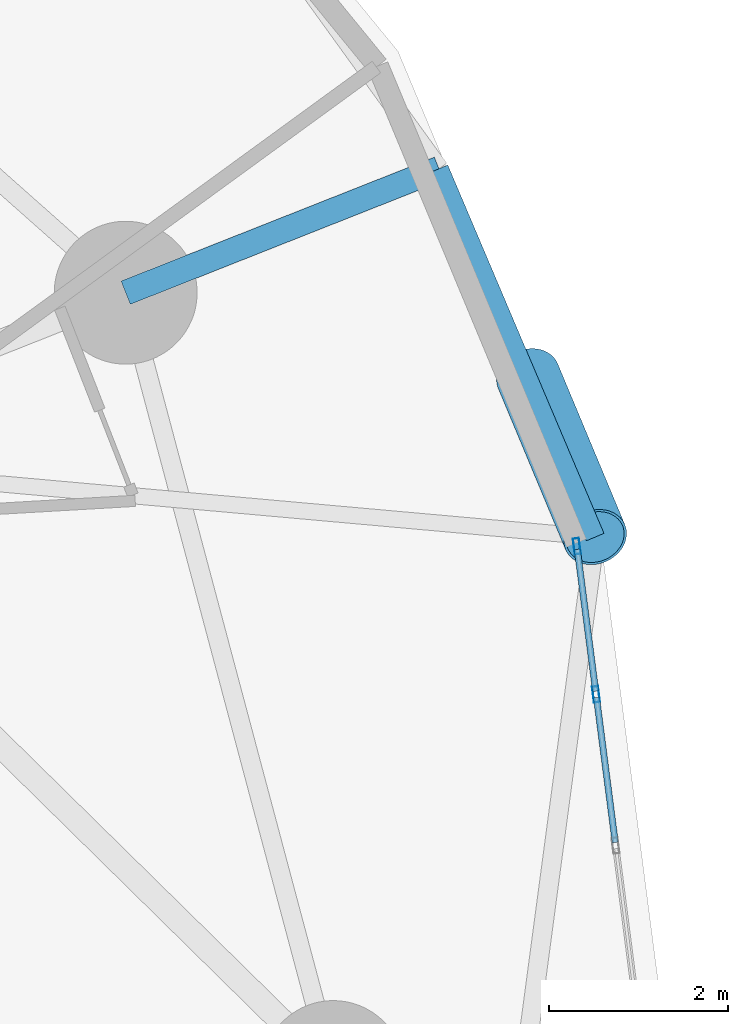
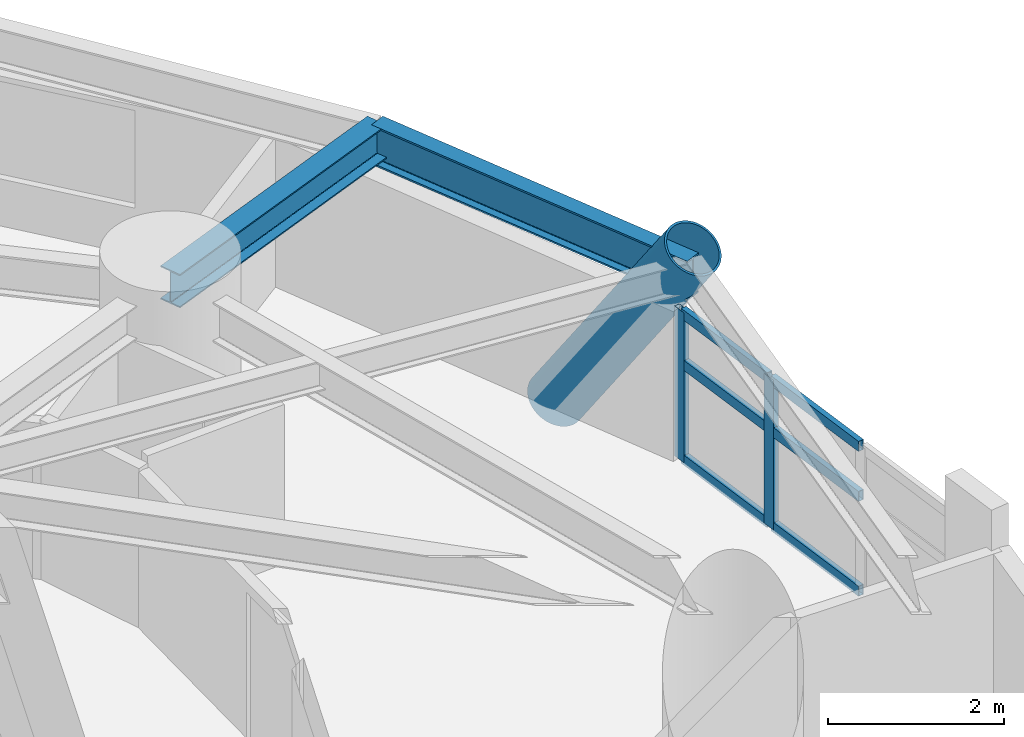
# One storey, part 4 of 18: 9 members, 2 beams, 1 element without a shape of its own.
"""IFC4 building model written with IfcOpenShell, lengths in metres."""

from ifc_helpers import new_model, si_unit, direction, frame, origin, origin_2d, place, context, subcontext, project, spatial, hollow_rectangle, hollow_circle, i_section, extrude, material, layer, layer_set, material_profile, profile_set, type_object, element, aggregate, save


model = new_model("IFC4")

# Units and contexts
model_context = context("Model", 3, precision=1e-05, world=origin(), true_north=direction((0.0, 1.0)))
body_context = subcontext(model_context, "Body", "Model", "MODEL_VIEW")
ifc_project = project(units=[si_unit("LENGTHUNIT", "METRE"), si_unit("AREAUNIT", "SQUARE_METRE"), si_unit("VOLUMEUNIT", "CUBIC_METRE"), si_unit("PLANEANGLEUNIT", "RADIAN"), si_unit("MASSUNIT", "GRAM", prefix="KILO")], contexts=[model_context])

# Site, building, storey
site_placement = place(None, origin())
site = spatial("IfcSite", under=ifc_project, at=site_placement, CompositionType="ELEMENT")
building_placement = place(site_placement, origin())
building = spatial("IfcBuilding", under=site, at=building_placement, Name="Cununo Teusaquillo Station Towers", CompositionType="ELEMENT")
storey_placement = place(building_placement, frame((0.0, 0.0, 54.010009765625)))
storey = spatial("IfcBuildingStorey", under=building, at=storey_placement, Name="L16", CompositionType="ELEMENT", Elevation=54.010009765625)

# Beams
ifc_material_1 = material(Name="Steel ASTM A572 Grade 50", Category="steel")
ifc_material_profile_1 = material_profile(ifc_material_1, i_section(OverallWidth=0.280029296875, OverallDepth=0.462890625, WebThickness=0.0107421875, FlangeThickness=0.017333984375, FilletRadius=0.013916015625, at=origin_2d()), Name="W18X76")
ifc_profile_set_1 = profile_set([ifc_material_profile_1], Name="Steel ASTM A572 Grade 50")
beam_type_1 = type_object("IfcBeamType", Name="BM-RAD-G1", PredefinedType="BEAM", material=ifc_profile_set_1)
beam_1_placement = place(storey_placement, frame((26.347412109375, 33.228515625, 2.41845703125), z_axis=(0.929871177563, 0.367885298888, 0.0), x_axis=(-0.367885298888, 0.929871177563, 0.0)))
element("IfcBeam", 1, at=beam_1_placement, inside=storey, type_object=beam_type_1, Name="L16 Tower A Perimeter Overhang Girder 02B", PredefinedType="BEAM", context=body_context, shape_type="SweptSolid", body=[
    extrude(i_section(OverallWidth=0.280029296875, OverallDepth=0.462890625, WebThickness=0.0107421875, FlangeThickness=0.017333984375, FilletRadius=0.013916015625, at=origin_2d()), origin(), (0.0, 0.0, 1.0), 3.7734375),
])
ifc_material_2 = material(Name="Steel ASTM A572 Grade 50", Category="steel")
ifc_material_profile_2 = material_profile(ifc_material_2, i_section(OverallWidth=0.214111328125, OverallDepth=0.549072265625, WebThickness=0.0146484375, FlangeThickness=0.023681640625, FilletRadius=0.014892578125, at=origin_2d()), Name="W21X93")
ifc_profile_set_2 = profile_set([ifc_material_profile_2], Name="Steel ASTM A572 Grade 50")
beam_type_2 = type_object("IfcBeamType", Name="BM-RING-Z1", PredefinedType="SPANDREL", material=ifc_profile_set_2)
beam_2_placement = place(storey_placement, frame((31.605712890625, 30.49169921875, 2.37548828125), z_axis=(-0.390457491743, 0.920620957366, 0.0), x_axis=(-0.920620957366, -0.390457491743, 0.0)))
element("IfcBeam", 2, at=beam_2_placement, inside=storey, type_object=beam_type_2, Name="L16 Tower A Spandrel Ring Beam 02", PredefinedType="SPANDREL", context=body_context, shape_type="SweptSolid", body=[
    extrude(i_section(OverallWidth=0.214111328125, OverallDepth=0.549072265625, WebThickness=0.0146484375, FlangeThickness=0.023681640625, FilletRadius=0.014892578125, at=origin_2d()), origin(), (0.0, 0.0, 1.0), 4.480712890625),
])

# Curtain wall, members
ifc_material_3 = material(Name="Operable acoustic tinted low-E double glazing", Category="glass")
ifc_layer = layer(ifc_material_3, 0.179931640625)
ifc_layer_set = layer_set([ifc_layer], Name="Operable acoustic tinted low-E double glazing")
curtain_wall_type = type_object("IfcCurtainWallType", Name="CW-SYS-03", PredefinedType="USERDEFINED", material=ifc_layer_set)
curtain_wall_placement = place(storey_placement, origin())
curtain_wall = element("IfcCurtainWall", 3, at=curtain_wall_placement, inside=storey, type_object=curtain_wall_type, Name="L16 Tower A Facade Curtain Wall C00", ObjectType="OPERABLE GLAZING", PredefinedType="USERDEFINED")
ifc_material_4 = material(Name="Anodised dark bronze aluminium EN AW-6063-T6", Category="aluminium")
ifc_material_profile_3 = material_profile(ifc_material_4, hollow_rectangle(XDim=0.070068359375, YDim=0.179931640625, WallThickness=0.00390625, at=origin_2d()), Name="CW-MULL-70x180")
ifc_profile_set_3 = profile_set([ifc_material_profile_3], Name="Anodised dark bronze aluminium EN AW-6063-T6")
member_type_1 = type_object("IfcMemberType", Name="CWM-180", PredefinedType="MULLION", material=ifc_profile_set_3)
member_1_placement = place(storey_placement, frame((31.40087890625, 30.38916015625, 0.0), z_axis=(0.0, 0.0, 1.0), x_axis=(0.99173073067, 0.128336112783, 0.0)))
member_1 = element("IfcMember", 4, at=member_1_placement, type_object=member_type_1, Name="CW-03 mullion 1", PredefinedType="MULLION", context=body_context, shape_type="SweptSolid", body=[
    extrude(hollow_rectangle(XDim=0.070068359375, YDim=0.179931640625, WallThickness=0.00390625, at=origin_2d()), origin(), (0.0, 0.0, 1.0), 2.072998046875),
])
member_2_placement = place(storey_placement, frame((31.615478515625, 28.730224609375, 0.0), z_axis=(0.0, 0.0, 1.0), x_axis=(0.99173073067, 0.128336112783, 0.0)))
member_2 = element("IfcMember", 5, at=member_2_placement, type_object=member_type_1, Name="CW-03 mullion 2", PredefinedType="MULLION", context=body_context, shape_type="SweptSolid", body=[
    extrude(hollow_rectangle(XDim=0.070068359375, YDim=0.179931640625, WallThickness=0.00390625, at=origin_2d()), origin(), (0.0, 0.0, 1.0), 2.072998046875),
])
ifc_material_5 = material(Name="Anodised dark bronze aluminium EN AW-6063-T6", Category="aluminium")
ifc_material_profile_4 = material_profile(ifc_material_5, hollow_rectangle(XDim=0.070068359375, YDim=0.139892578125, WallThickness=0.00390625, at=origin_2d()), Name="CW-TRAN-70x140")
ifc_profile_set_4 = profile_set([ifc_material_profile_4], Name="Anodised dark bronze aluminium EN AW-6063-T6")
member_type_2 = type_object("IfcMemberType", Name="CWT-140", PredefinedType="USERDEFINED", material=ifc_profile_set_4)
member_3_placement = place(storey_placement, frame((31.4052734375, 30.3544921875, 0.034912109375), z_axis=(0.128401455372, -0.991722272745, 0.0), x_axis=(0.991722272745, 0.128401455372, 0.0)))
member_3 = element("IfcMember", 6, at=member_3_placement, type_object=member_type_2, Name="CW-03 transom 1.1", ObjectType="TRANSOM", PredefinedType="USERDEFINED", context=body_context, shape_type="SweptSolid", body=[
    extrude(hollow_rectangle(XDim=0.070068359375, YDim=0.139892578125, WallThickness=0.00390625, at=origin_2d()), origin(), (0.0, 0.0, 1.0), 1.602783203125),
])
member_4_placement = place(storey_placement, frame((31.4052734375, 30.3544921875, 1.346923828125), z_axis=(0.128401455372, -0.991722272745, 0.0), x_axis=(0.991722272745, 0.128401455372, 0.0)))
member_4 = element("IfcMember", 7, at=member_4_placement, type_object=member_type_2, Name="CW-03 transom 1.2", ObjectType="TRANSOM", PredefinedType="USERDEFINED", context=body_context, shape_type="SweptSolid", body=[
    extrude(hollow_rectangle(XDim=0.070068359375, YDim=0.139892578125, WallThickness=0.00390625, at=origin_2d()), origin(), (0.0, 0.0, 1.0), 1.602783203125),
])
member_5_placement = place(storey_placement, frame((31.4052734375, 30.3544921875, 2.0380859375), z_axis=(0.128401455372, -0.991722272745, 0.0), x_axis=(0.991722272745, 0.128401455372, 0.0)))
member_5 = element("IfcMember", 8, at=member_5_placement, type_object=member_type_2, Name="CW-03 transom 1.3", ObjectType="TRANSOM", PredefinedType="USERDEFINED", context=body_context, shape_type="SweptSolid", body=[
    extrude(hollow_rectangle(XDim=0.070068359375, YDim=0.139892578125, WallThickness=0.00390625, at=origin_2d()), origin(), (0.0, 0.0, 1.0), 1.602783203125),
])
member_6_placement = place(storey_placement, frame((31.6201171875, 28.695556640625, 0.034912109375), z_axis=(0.128344982832, -0.99172958279, 0.0), x_axis=(0.99172958279, 0.128344982832, 0.0)))
member_6 = element("IfcMember", 9, at=member_6_placement, type_object=member_type_2, Name="CW-03 transom 2.1", ObjectType="TRANSOM", PredefinedType="USERDEFINED", context=body_context, shape_type="SweptSolid", body=[
    extrude(hollow_rectangle(XDim=0.070068359375, YDim=0.139892578125, WallThickness=0.00390625, at=origin_2d()), origin(), (0.0, 0.0, 1.0), 1.6376953125),
])
member_7_placement = place(storey_placement, frame((31.6201171875, 28.695556640625, 1.346923828125), z_axis=(0.128344982832, -0.99172958279, 0.0), x_axis=(0.99172958279, 0.128344982832, 0.0)))
member_7 = element("IfcMember", 10, at=member_7_placement, type_object=member_type_2, Name="CW-03 transom 2.2", ObjectType="TRANSOM", PredefinedType="USERDEFINED", context=body_context, shape_type="SweptSolid", body=[
    extrude(hollow_rectangle(XDim=0.070068359375, YDim=0.139892578125, WallThickness=0.00390625, at=origin_2d()), origin(), (0.0, 0.0, 1.0), 1.6376953125),
])
member_8_placement = place(storey_placement, frame((31.6201171875, 28.695556640625, 2.0380859375), z_axis=(0.128344982832, -0.99172958279, 0.0), x_axis=(0.99172958279, 0.128344982832, 0.0)))
member_8 = element("IfcMember", 11, at=member_8_placement, type_object=member_type_2, Name="CW-03 transom 2.3", ObjectType="TRANSOM", PredefinedType="USERDEFINED", context=body_context, shape_type="SweptSolid", body=[
    extrude(hollow_rectangle(XDim=0.070068359375, YDim=0.139892578125, WallThickness=0.00390625, at=origin_2d()), origin(), (0.0, 0.0, 1.0), 1.6376953125),
])
aggregate(curtain_wall, [member_1, member_2, member_3, member_4, member_5, member_6, member_7, member_8])

# Member
ifc_material_6 = material(Name="Steel EN 10025-2 S355J2", Category="steel")
ifc_material_profile_5 = material_profile(ifc_material_6, hollow_circle(Radius=0.360107421875, WallThickness=0.028076171875, at=origin_2d()), Name="CHS 720x28")
ifc_profile_set_5 = profile_set([ifc_material_profile_5], Name="Steel EN 10025-2 S355J2")
member_type_3 = type_object("IfcMemberType", Name="MBR-DIAG-Z1", PredefinedType="BRACE", material=ifc_profile_set_5)
member_9_placement = place(storey_placement, frame((30.853515625, 32.293701171875, -0.139892578125), z_axis=(0.214645581537, -0.514215851129, 0.830366986804), x_axis=(0.922828895615, 0.385210110742, 0.0)))
element("IfcMember", 12, at=member_9_placement, inside=storey, type_object=member_type_3, Name="L16 Tower A Folded-Zigzag Diagrid Tube C01", PredefinedType="BRACE", context=body_context, shape_type="SweptSolid", body=[
    extrude(hollow_circle(Radius=0.360107421875, WallThickness=0.028076171875, at=origin_2d()), origin(), (0.0, 0.0, 1.0), 3.50439453125),
])

save(model, "model.ifc")
